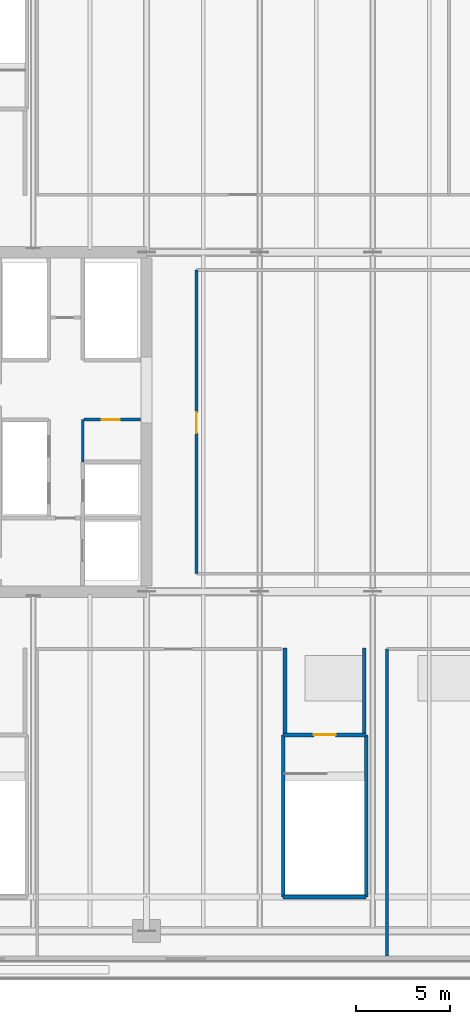
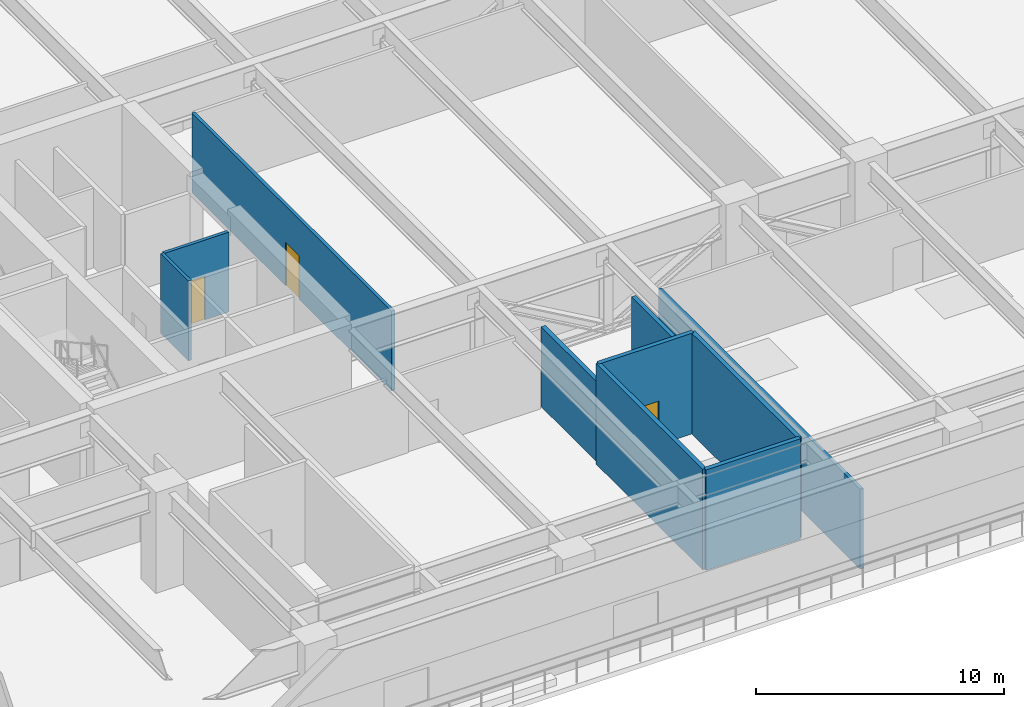
# One storey, part 10 of 25: 10 walls, 3 doors, 3 openings.
"""IFC4 building model written with IfcOpenShell, lengths in metres."""

from ifc_helpers import new_model, si_unit, direction, frame, frame_2d, origin, place, context, subcontext, project, spatial, rectangle, extrude, material, layer, layer_set, type_object, element, fill, save


model = new_model("IFC4")

# Units and contexts
model_context = context("Model", 3, precision=1e-05, world=origin(), true_north=direction((0.0, 1.0)))
body_context = subcontext(model_context, "Body", "Model", "MODEL_VIEW")
ifc_project = project(units=[si_unit("LENGTHUNIT", "METRE"), si_unit("AREAUNIT", "SQUARE_METRE"), si_unit("VOLUMEUNIT", "CUBIC_METRE"), si_unit("PLANEANGLEUNIT", "RADIAN"), si_unit("MASSUNIT", "GRAM", prefix="KILO")], contexts=[model_context])

# Site, building, storey
site_placement = place(None, origin())
site = spatial("IfcSite", under=ifc_project, at=site_placement, CompositionType="ELEMENT")
building_placement = place(site_placement, origin())
building = spatial("IfcBuilding", under=site, at=building_placement, Name="Tanjung Sevakor Pilgrim Tower", CompositionType="ELEMENT")
storey_placement = place(building_placement, frame((0.0, 0.0, 24.090087890625)))
storey = spatial("IfcBuildingStorey", under=building, at=storey_placement, Name="L06", CompositionType="ELEMENT", Elevation=24.090087890625)

# Wall
ifc_material_1 = material(Name="Concrete C40/50", Category="concrete")
ifc_layer_1 = layer(ifc_material_1, 0.14990234375)
ifc_layer_set_1 = layer_set([ifc_layer_1], Name="WT-COMP-150")
wall_type_1 = type_object("IfcWallType", Name="WT-COMP-150", PredefinedType="SOLIDWALL", material=ifc_layer_set_1)
wall_1_placement = place(storey_placement, frame((32.6201171875, 31.47998046875, 0.0), z_axis=(0.0, 0.0, 1.0), x_axis=(0.0, 1.0, 0.0)))
element("IfcWall", 1, at=wall_1_placement, inside=storey, type_object=wall_type_1, Name="L06 Partition IW-L06-008", PredefinedType="SOLIDWALL", context=body_context, shape_type="SweptSolid", body=[
    extrude(rectangle(XDim=2.239990234375, YDim=0.14990234375, at=frame_2d((1.1201171875, 0.0))), origin(), (0.0, 0.0, 1.0), 3.929931640625),
])

# Wall, opening, door
wall_2_placement = place(storey_placement, frame((32.679931640625, 33.719970703125, 0.0), z_axis=(0.0, 0.0, 1.0), x_axis=(1.0, 0.0, 0.0)))
wall_2 = element("IfcWall", 2, at=wall_2_placement, inside=storey, type_object=wall_type_1, Name="L06 Partition IW-L06-009", PredefinedType="SOLIDWALL", context=body_context, shape_type="SweptSolid", body=[
    extrude(rectangle(XDim=3.0, YDim=0.14990234375, at=frame_2d((1.5, 0.0))), origin(), (0.0, 0.0, 1.0), 3.929931640625),
])
opening_1_placement = place(wall_2_placement, frame((0.949951171875, 0.0, 0.0)))
opening_1 = element("IfcOpeningElement", 3, at=opening_1_placement, cuts=wall_2, Name="Opening ID-FD2", PredefinedType="OPENING", context=body_context, shape_type="SweptSolid", body=[
    extrude(rectangle(XDim=0.949951171875, YDim=2.14990234375, at=frame_2d((0.47509765625, 1.074951171875))), frame((0.0, 0.0849609375, 0.0), z_axis=(0.0, -1.0, 0.0), x_axis=(1.0, 0.0, 0.0)), (0.0, 0.0, 1.0), 0.169921875),
])
ifc_material_2 = material(Name="Fire-Rated Timber", Category="wood")
door_type_1 = type_object("IfcDoorType", Name="DT-FIRE-950", OperationType="NOTDEFINED", PredefinedType="DOOR", material=ifc_material_2)
door_1_placement = place(opening_1_placement, origin())
door_1 = element("IfcDoor", 4, at=door_1_placement, inside=storey, type_object=door_type_1, Name="L06 Accessible WC Door", OperationType="SINGLE_SWING_RIGHT", OverallHeight=2.14990234375, OverallWidth=0.949951171875, PredefinedType="DOOR", context=body_context, shape_type="SweptSolid", body=[
    extrude(rectangle(XDim=0.949951171875, YDim=2.14990234375, at=frame_2d((0.47509765625, 1.074951171875))), frame((0.0, 0.02490234375, 0.0), z_axis=(0.0, -1.0, 0.0), x_axis=(1.0, 0.0, 0.0)), (0.0, 0.0, 1.0), 0.050048828125),
])
fill(opening_1, door_1)

# Wall
wall_3_placement = place(storey_placement, frame((48.75, 5.280029296875, 0.0), z_axis=(0.0, 0.0, 1.0), x_axis=(0.0, 1.0, 0.0)))
element("IfcWall", 5, at=wall_3_placement, inside=storey, type_object=wall_type_1, Name="L06 Partition IW-L06-042", PredefinedType="SOLIDWALL", context=body_context, shape_type="SweptSolid", body=[
    extrude(rectangle(XDim=16.27001953125, YDim=0.14990234375, at=frame_2d((8.135009765625, 0.0))), origin(), (0.0, 0.0, 1.0), 3.929931640625),
])

# Wall, opening, door
wall_4_placement = place(storey_placement, frame((38.64990234375, 25.550048828125, 0.0), z_axis=(0.0, 0.0, 1.0), x_axis=(0.0, 1.0, 0.0)))
wall_4 = element("IfcWall", 6, at=wall_4_placement, inside=storey, type_object=wall_type_1, Name="L06 Partition IW-L06-056", PredefinedType="SOLIDWALL", context=body_context, shape_type="SweptSolid", body=[
    extrude(rectangle(XDim=16.099853515625, YDim=0.14990234375, at=frame_2d((8.0498046875, 0.0))), origin(), (0.0, 0.0, 1.0), 3.929931640625),
])
opening_2_placement = place(wall_4_placement, frame((7.449951171875, 0.0, 0.0)))
opening_2 = element("IfcOpeningElement", 7, at=opening_2_placement, cuts=wall_4, Name="Opening ID-RM2", PredefinedType="OPENING", context=body_context, shape_type="SweptSolid", body=[
    extrude(rectangle(XDim=1.10009765625, YDim=2.14990234375, at=frame_2d((0.550048828125, 1.074951171875))), frame((0.0, 0.0849609375, 0.0), z_axis=(0.0, -1.0, 0.0), x_axis=(1.0, 0.0, 0.0)), (0.0, 0.0, 1.0), 0.169921875),
])
ifc_material_3 = material(Name="Hardwood Timber", Category="wood")
door_type_2 = type_object("IfcDoorType", Name="DT-INT-1100", OperationType="NOTDEFINED", PredefinedType="DOOR", material=ifc_material_3)
door_2_placement = place(opening_2_placement, origin())
door_2 = element("IfcDoor", 8, at=door_2_placement, inside=storey, type_object=door_type_2, Name="L06 West Studio Door", OperationType="SINGLE_SWING_RIGHT", OverallHeight=2.14990234375, OverallWidth=1.10009765625, PredefinedType="DOOR", context=body_context, shape_type="SweptSolid", body=[
    extrude(rectangle(XDim=1.10009765625, YDim=2.14990234375, at=frame_2d((0.550048828125, 1.074951171875))), frame((0.0, 0.02490234375, 0.0), z_axis=(0.0, -1.0, 0.0), x_axis=(1.0, 0.0, 0.0)), (0.0, 0.0, 1.0), 0.050048828125),
])
fill(opening_2, door_2)

# Walls
ifc_material_4 = material(Name="Concrete C40/50", Category="concrete")
ifc_layer_2 = layer(ifc_material_4, 0.199951171875)
ifc_layer_set_2 = layer_set([ifc_layer_2], Name="WT-FIRE-200")
wall_type_2 = type_object("IfcWallType", Name="WT-FIRE-200", PredefinedType="SOLIDWALL", material=ifc_layer_set_2)
wall_5_placement = place(storey_placement, frame((43.25, 8.39990234375, 0.0), z_axis=(0.0, 0.0, 1.0), x_axis=(1.0, 0.0, 0.0)))
element("IfcWall", 9, at=wall_5_placement, inside=storey, type_object=wall_type_2, Name="L06 PS-3 Shaft Wall 1", PredefinedType="SOLIDWALL", context=body_context, shape_type="SweptSolid", body=[
    extrude(rectangle(XDim=4.39990234375, YDim=0.199951171875, at=frame_2d((2.199951171875, 0.0))), origin(), (0.0, 0.0, 1.0), 4.949951171875),
])
wall_6_placement = place(storey_placement, frame((47.64990234375, 8.39990234375, 0.0), z_axis=(0.0, 0.0, 1.0), x_axis=(0.0, 1.0, 0.0)))
element("IfcWall", 10, at=wall_6_placement, inside=storey, type_object=wall_type_2, Name="L06 PS-3 Shaft Wall 2", PredefinedType="SOLIDWALL", context=body_context, shape_type="SweptSolid", body=[
    extrude(rectangle(XDim=8.60009765625, YDim=0.199951171875, at=frame_2d((4.300048828125, 0.0))), origin(), (0.0, 0.0, 1.0), 4.949951171875),
])

# Wall, opening, door
wall_7_placement = place(storey_placement, frame((47.64990234375, 17.0, 0.0), z_axis=(0.0, 0.0, 1.0), x_axis=(-1.0, 0.0, 0.0)))
wall_7 = element("IfcWall", 11, at=wall_7_placement, inside=storey, type_object=wall_type_2, Name="L06 PS-3 Shaft Wall 3", PredefinedType="SOLIDWALL", context=body_context, shape_type="SweptSolid", body=[
    extrude(rectangle(XDim=4.39990234375, YDim=0.199951171875, at=frame_2d((2.199951171875, 0.0))), origin(), (0.0, 0.0, 1.0), 4.949951171875),
])
opening_3_placement = place(wall_7_placement, frame((1.625, 0.0, 0.0)))
opening_3 = element("IfcOpeningElement", 12, at=opening_3_placement, cuts=wall_7, Name="Opening ID-ST1", PredefinedType="OPENING", context=body_context, shape_type="SweptSolid", body=[
    extrude(rectangle(XDim=1.14990234375, YDim=2.14990234375, at=frame_2d((0.574951171875, 1.074951171875))), frame((0.0, 0.10986328125, 0.0), z_axis=(0.0, -1.0, 0.0), x_axis=(1.0, 0.0, 0.0)), (0.0, 0.0, 1.0), 0.219970703125),
])
ifc_material_5 = material(Name="Fire-Rated Steel S355J2", Category="steel")
door_type_3 = type_object("IfcDoorType", Name="DT-FIRE-1150", OperationType="NOTDEFINED", PredefinedType="DOOR", material=ifc_material_5)
door_3_placement = place(opening_3_placement, origin())
door_3 = element("IfcDoor", 13, at=door_3_placement, inside=storey, type_object=door_type_3, Name="L06 PS-3 Stair Entry Fire Door", OperationType="SINGLE_SWING_RIGHT", OverallHeight=2.14990234375, OverallWidth=1.14990234375, PredefinedType="DOOR", context=body_context, shape_type="SweptSolid", body=[
    extrude(rectangle(XDim=1.14990234375, YDim=2.14990234375, at=frame_2d((0.574951171875, 1.074951171875))), frame((0.0, 0.02490234375, 0.0), z_axis=(0.0, -1.0, 0.0), x_axis=(1.0, 0.0, 0.0)), (0.0, 0.0, 1.0), 0.050048828125),
])
fill(opening_3, door_3)

# Walls
wall_8_placement = place(storey_placement, frame((43.25, 17.0, 0.0), z_axis=(0.0, 0.0, 1.0), x_axis=(0.0, -1.0, 0.0)))
element("IfcWall", 14, at=wall_8_placement, inside=storey, type_object=wall_type_2, Name="L06 PS-3 Shaft Wall 4", PredefinedType="SOLIDWALL", context=body_context, shape_type="SweptSolid", body=[
    extrude(rectangle(XDim=8.60009765625, YDim=0.199951171875, at=frame_2d((4.300048828125, 0.0))), origin(), (0.0, 0.0, 1.0), 4.949951171875),
])
ifc_material_6 = material(Name="Concrete C40/50", Category="concrete")
ifc_layer_3 = layer(ifc_material_6, 0.199951171875)
ifc_layer_set_3 = layer_set([ifc_layer_3], Name="WT-FPRT-200")
wall_type_3 = type_object("IfcWallType", Name="WT-FPRT-200", PredefinedType="SOLIDWALL", material=ifc_layer_set_3)
for number, where, z_axis, x_axis, name in (
    (15, (43.35009765625, 17.0, 0.0), (0.0, 0.0, 1.0), (0.0, 1.0, 0.0), "L06 Partition IW-L06-029"),
    (16, (47.550048828125, 17.0, 0.0), (0.0, 0.0, 1.0), (0.0, 1.0, 0.0), "L06 Partition IW-L06-030"),
):
    element("IfcWall", number, at=place(storey_placement, frame(where, z_axis=z_axis, x_axis=x_axis)), inside=storey, type_object=wall_type_3, Name=name, PredefinedType="SOLIDWALL", context=body_context, shape_type="SweptSolid", body=[
        extrude(rectangle(XDim=4.60009765625, YDim=0.199951171875, at=frame_2d((2.300048828125, 0.0))), origin(), (0.0, 0.0, 1.0), 3.929931640625),
    ])

save(model, "model.ifc")
